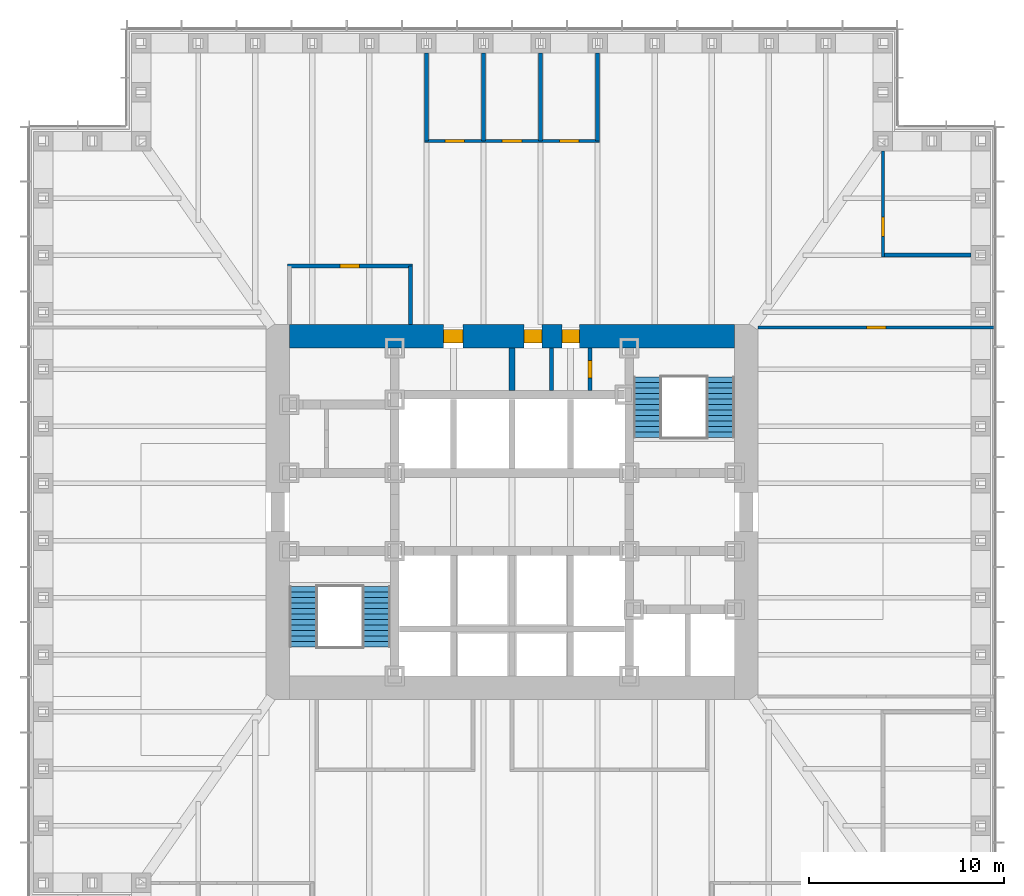
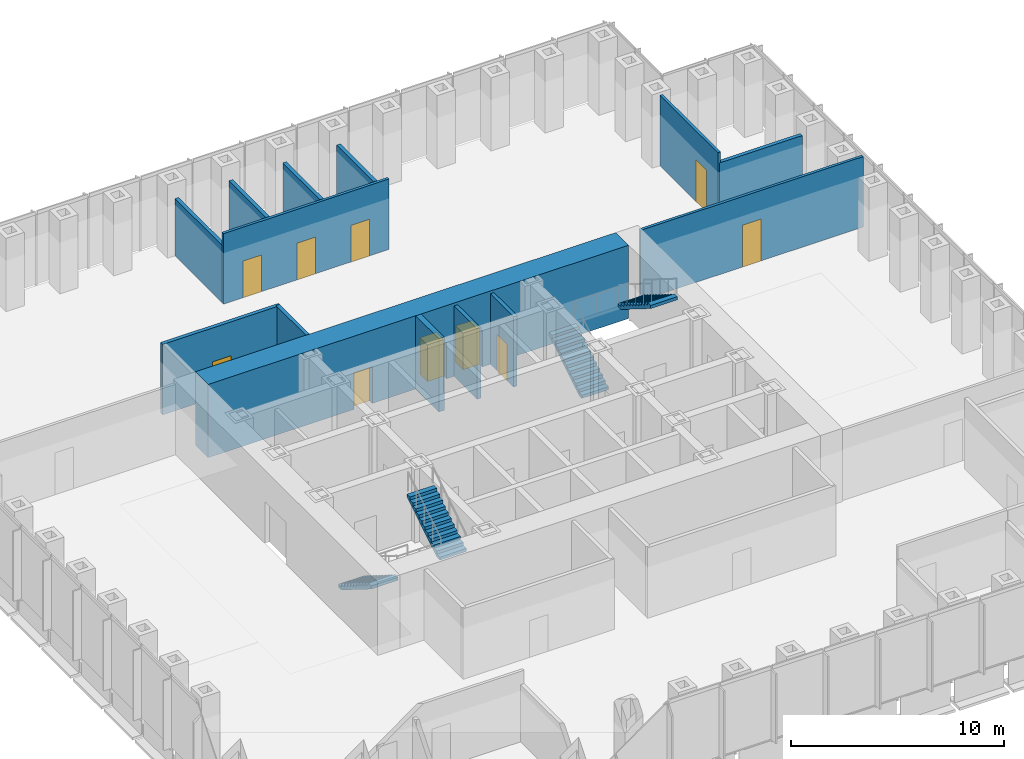
# One storey, part 10 of 16: 14 walls, 10 doors, 4 stair flights, 10 openings, 2 elements without a shape of their own.
"""IFC4 building model written with IfcOpenShell, lengths in metres."""

from ifc_helpers import new_model, si_unit, direction, frame, frame_2d, origin, place, context, subcontext, project, spatial, polyline, rectangle, outline, extrude, material, layer, layer_set, type_object, element, fill, aggregate, save


model = new_model("IFC4")

# Units and contexts
model_context = context("Model", 3, precision=1e-05, world=origin(), true_north=direction((0.0, 1.0)))
body_context = subcontext(model_context, "Body", "Model", "MODEL_VIEW")
ifc_project = project(units=[si_unit("LENGTHUNIT", "METRE"), si_unit("AREAUNIT", "SQUARE_METRE"), si_unit("VOLUMEUNIT", "CUBIC_METRE"), si_unit("PLANEANGLEUNIT", "RADIAN"), si_unit("MASSUNIT", "GRAM", prefix="KILO")], contexts=[model_context])

# Site, building, storey
site_placement = place(None, origin())
site = spatial("IfcSite", under=ifc_project, at=site_placement, CompositionType="ELEMENT")
building_placement = place(site_placement, origin())
building = spatial("IfcBuilding", under=site, at=building_placement, Name="Daluyong Arena Tower", CompositionType="ELEMENT")
storey_placement = place(building_placement, frame((0.0, 0.0, 43.300048828125)))
storey = spatial("IfcBuildingStorey", under=building, at=storey_placement, Name="L08", CompositionType="ELEMENT", Elevation=43.300048828125)

# Wall, openings, doors
ifc_material_1 = material(Name="Concrete fc' 60 MPa", Category="concrete")
ifc_layer_1 = layer(ifc_material_1, 1.199951171875)
ifc_layer_set_1 = layer_set([ifc_layer_1], Name="Concrete fc' 60 MPa")
wall_type_1 = type_object("IfcWallType", Name="Core wall 1200", PredefinedType="SHEAR", material=ifc_layer_set_1)
wall_1_placement = place(storey_placement, frame((44.60009765625, 89.0, 0.0), z_axis=(0.0, 0.0, 1.0), x_axis=(1.0, 0.0, 0.0)))
wall_1 = element("IfcWall", 1, at=wall_1_placement, inside=storey, type_object=wall_type_1, Name="core wall at L08", PredefinedType="SHEAR", context=body_context, shape_type="SweptSolid", body=[
    extrude(rectangle(XDim=22.7998046875, YDim=1.199951171875, at=frame_2d((11.39990234375, 0.0))), origin(), (0.0, 0.0, 1.0), 4.199951171875),
])
opening_1_placement = place(wall_1_placement, frame((7.89990234375, 0.0, 0.0)))
opening_1 = element("IfcOpeningElement", 2, at=opening_1_placement, cuts=wall_1, Name="Opening 08004", PredefinedType="OPENING", context=body_context, shape_type="SweptSolid", body=[
    extrude(rectangle(XDim=1.0, YDim=2.10009765625, at=frame_2d((0.5, 1.050048828125))), frame((0.0, 0.60986328125, 0.0), z_axis=(0.0, -1.0, 0.0), x_axis=(1.0, 0.0, 0.0)), (0.0, 0.0, 1.0), 1.219970703125),
])
opening_2_placement = place(wall_1_placement, frame((12.02490234375, 0.0, 0.0)))
opening_2 = element("IfcOpeningElement", 3, at=opening_2_placement, cuts=wall_1, Name="Opening 08005", PredefinedType="OPENING", context=body_context, shape_type="SweptSolid", body=[
    extrude(rectangle(XDim=0.89990234375, YDim=2.10009765625, at=frame_2d((0.449951171875, 1.050048828125))), frame((0.0, 0.60986328125, 0.0), z_axis=(0.0, -1.0, 0.0), x_axis=(1.0, 0.0, 0.0)), (0.0, 0.0, 1.0), 1.219970703125),
])
opening_3_placement = place(wall_1_placement, frame((13.96240234375, 0.0, 0.0)))
opening_3 = element("IfcOpeningElement", 4, at=opening_3_placement, cuts=wall_1, Name="Opening 08006", PredefinedType="OPENING", context=body_context, shape_type="SweptSolid", body=[
    extrude(rectangle(XDim=0.89990234375, YDim=2.10009765625, at=frame_2d((0.449951171875, 1.050048828125))), frame((0.0, 0.60986328125, 0.0), z_axis=(0.0, -1.0, 0.0), x_axis=(1.0, 0.0, 0.0)), (0.0, 0.0, 1.0), 1.219970703125),
])
ifc_material_2 = material(Name="Timber door", Category="wood")
door_type_1 = type_object("IfcDoorType", Name="Accessible toilet door 1000", OperationType="SINGLE_SWING_LEFT", PredefinedType="DOOR", material=ifc_material_2)
door_1_placement = place(opening_1_placement, origin())
door_1 = element("IfcDoor", 5, at=door_1_placement, inside=storey, type_object=door_type_1, Name="accessible toilet door 08004", OperationType="SINGLE_SWING_LEFT", OverallHeight=2.10009765625, OverallWidth=1.0, PredefinedType="DOOR", context=body_context, shape_type="SweptSolid", body=[
    extrude(rectangle(XDim=1.0, YDim=2.10009765625, at=frame_2d((0.5, 1.050048828125))), frame((0.0, 0.35009765625, 0.0), z_axis=(0.0, -1.0, 0.0), x_axis=(1.0, 0.0, 0.0)), (0.0, 0.0, 1.0), 0.699951171875),
])
fill(opening_1, door_1)
ifc_material_3 = material(Name="Steel door, fire rated", Category="steel")
door_type_2 = type_object("IfcDoorType", Name="Core store door 900", OperationType="SINGLE_SWING_LEFT", PredefinedType="DOOR", material=ifc_material_3)
door_2_placement = place(opening_2_placement, origin())
door_2 = element("IfcDoor", 6, at=door_2_placement, inside=storey, type_object=door_type_2, Name="cleaner's store door 08005", OperationType="SINGLE_SWING_LEFT", OverallHeight=2.10009765625, OverallWidth=0.89990234375, PredefinedType="DOOR", context=body_context, shape_type="SweptSolid", body=[
    extrude(rectangle(XDim=0.89990234375, YDim=2.10009765625, at=frame_2d((0.449951171875, 1.050048828125))), frame((0.0, 0.35009765625, 0.0), z_axis=(0.0, -1.0, 0.0), x_axis=(1.0, 0.0, 0.0)), (0.0, 0.0, 1.0), 0.699951171875),
])
fill(opening_2, door_2)
door_3_placement = place(opening_3_placement, origin())
door_3 = element("IfcDoor", 7, at=door_3_placement, inside=storey, type_object=door_type_2, Name="tenant store door 08006", OperationType="SINGLE_SWING_LEFT", OverallHeight=2.10009765625, OverallWidth=0.89990234375, PredefinedType="DOOR", context=body_context, shape_type="SweptSolid", body=[
    extrude(rectangle(XDim=0.89990234375, YDim=2.10009765625, at=frame_2d((0.449951171875, 1.050048828125))), frame((0.0, 0.35009765625, 0.0), z_axis=(0.0, -1.0, 0.0), x_axis=(1.0, 0.0, 0.0)), (0.0, 0.0, 1.0), 0.699951171875),
])
fill(opening_3, door_3)

# Wall, opening, door
ifc_material_4 = material(Name="Concrete block partition, fire rated", Category="concrete")
ifc_layer_2 = layer(ifc_material_4, 0.199951171875)
ifc_layer_set_2 = layer_set([ifc_layer_2], Name="Concrete block partition, fire rated")
wall_type_2 = type_object("IfcWallType", Name="Fire-rated partition 200", PredefinedType="PARTITIONING", material=ifc_layer_set_2)
wall_2_placement = place(storey_placement, frame((60.0, 86.22509765625, 0.0), z_axis=(0.0, 0.0, 1.0), x_axis=(0.0, 1.0, 0.0)))
wall_2 = element("IfcWall", 8, at=wall_2_placement, inside=storey, type_object=wall_type_2, Name="electrical riser enclosure at L08", PredefinedType="PARTITIONING", context=body_context, shape_type="SweptSolid", body=[
    extrude(rectangle(XDim=2.1748046875, YDim=0.199951171875, at=frame_2d((1.08740234375, 0.0))), origin(), (0.0, 0.0, 1.0), 4.0400390625),
])
opening_4_placement = place(wall_2_placement, frame((0.637451171875, 0.0, 0.0)))
opening_4 = element("IfcOpeningElement", 9, at=opening_4_placement, cuts=wall_2, Name="Opening 08007", PredefinedType="OPENING", context=body_context, shape_type="SweptSolid", body=[
    extrude(rectangle(XDim=0.89990234375, YDim=2.10009765625, at=frame_2d((0.449951171875, 1.050048828125))), frame((0.0, 0.10986328125, 0.0), z_axis=(0.0, -1.0, 0.0), x_axis=(1.0, 0.0, 0.0)), (0.0, 0.0, 1.0), 0.219970703125),
])
ifc_material_5 = material(Name="Steel door, fire rated", Category="steel")
door_type_3 = type_object("IfcDoorType", Name="Riser door 900", OperationType="SINGLE_SWING_LEFT", PredefinedType="DOOR", material=ifc_material_5)
door_4_placement = place(opening_4_placement, origin())
door_4 = element("IfcDoor", 10, at=door_4_placement, inside=storey, type_object=door_type_3, Name="riser door 08007", OperationType="SINGLE_SWING_LEFT", OverallHeight=2.10009765625, OverallWidth=0.89990234375, PredefinedType="DOOR", context=body_context, shape_type="SweptSolid", body=[
    extrude(rectangle(XDim=0.89990234375, YDim=2.10009765625, at=frame_2d((0.449951171875, 1.050048828125))), frame((0.0, 0.099609375, 0.0), z_axis=(0.0, -1.0, 0.0), x_axis=(1.0, 0.0, 0.0)), (0.0, 0.0, 1.0), 0.199462890625),
])
fill(opening_4, door_4)

# Wall
wall_3_placement = place(storey_placement, frame((58.02490234375, 86.22509765625, 0.0), z_axis=(0.0, 0.0, 1.0), x_axis=(0.0, 1.0, 0.0)))
element("IfcWall", 11, at=wall_3_placement, inside=storey, type_object=wall_type_2, Name="core room partition at L08", PredefinedType="PARTITIONING", context=body_context, shape_type="SweptSolid", body=[
    extrude(rectangle(XDim=2.1748046875, YDim=0.199951171875, at=frame_2d((1.08740234375, 0.0))), origin(), (0.0, 0.0, 1.0), 4.0400390625),
])

# Wall, opening, door
ifc_material_6 = material(Name="Glazed aluminium partition", Category="aluminium")
ifc_layer_3 = layer(ifc_material_6, 0.14990234375)
ifc_layer_set_3 = layer_set([ifc_layer_3], Name="Glazed aluminium partition")
wall_type_3 = type_object("IfcWallType", Name="Glazed partition 150", PredefinedType="PARTITIONING", material=ifc_layer_set_3)
wall_4_placement = place(storey_placement, frame((68.60009765625, 89.449951171875, 0.0), z_axis=(0.0, 0.0, 1.0), x_axis=(1.0, 0.0, 0.0)))
wall_4 = element("IfcWall", 12, at=wall_4_placement, inside=storey, type_object=wall_type_3, Name="glazed partition at L08", PredefinedType="PARTITIONING", context=body_context, shape_type="SweptSolid", body=[
    extrude(rectangle(XDim=12.08984375, YDim=0.14990234375, at=frame_2d((6.044921875, 0.0))), origin(), (0.0, 0.0, 1.0), 4.0400390625),
])
opening_5_placement = place(wall_4_placement, frame((5.544921875, 0.0, 0.0)))
opening_5 = element("IfcOpeningElement", 13, at=opening_5_placement, cuts=wall_4, Name="Opening 08035", PredefinedType="OPENING", context=body_context, shape_type="SweptSolid", body=[
    extrude(rectangle(XDim=1.0, YDim=2.39990234375, at=frame_2d((0.5, 1.199951171875))), frame((0.0, 0.0849609375, 0.0), z_axis=(0.0, -1.0, 0.0), x_axis=(1.0, 0.0, 0.0)), (0.0, 0.0, 1.0), 0.169921875),
])
ifc_material_7 = material(Name="Glazed aluminium door", Category="aluminium")
door_type_4 = type_object("IfcDoorType", Name="Meeting room glazed door 1000", OperationType="SINGLE_SWING_RIGHT", PredefinedType="DOOR", material=ifc_material_7)
door_5_placement = place(opening_5_placement, origin())
door_5 = element("IfcDoor", 14, at=door_5_placement, inside=storey, type_object=door_type_4, Name="team area screen door 08035", OperationType="SINGLE_SWING_RIGHT", OverallHeight=2.39990234375, OverallWidth=1.0, PredefinedType="DOOR", context=body_context, shape_type="SweptSolid", body=[
    extrude(rectangle(XDim=1.0, YDim=2.39990234375, at=frame_2d((0.5, 1.199951171875))), frame((0.0, 0.07470703125, 0.0), z_axis=(0.0, -1.0, 0.0), x_axis=(1.0, 0.0, 0.0)), (0.0, 0.0, 1.0), 0.1494140625),
])
fill(opening_5, door_5)

# Wall, openings, doors
wall_5_placement = place(storey_placement, frame((51.515380859375, 99.0, 0.0), z_axis=(0.0, 0.0, 1.0), x_axis=(1.0, 0.0, 0.0)))
wall_5 = element("IfcWall", 15, at=wall_5_placement, inside=storey, type_object=wall_type_3, Name="glazed partition at L08", PredefinedType="PARTITIONING", context=body_context, shape_type="SweptSolid", body=[
    extrude(rectangle(XDim=8.96923828125, YDim=0.14990234375, at=frame_2d((4.484619140625, 0.0))), origin(), (0.0, 0.0, 1.0), 4.0400390625),
])
opening_6_placement = place(wall_5_placement, frame((1.0615234375, 0.0, 0.0)))
opening_6 = element("IfcOpeningElement", 16, at=opening_6_placement, cuts=wall_5, Name="Opening 08027", PredefinedType="OPENING", context=body_context, shape_type="SweptSolid", body=[
    extrude(rectangle(XDim=1.0, YDim=2.10009765625, at=frame_2d((0.5, 1.050048828125))), frame((0.0, 0.0849609375, 0.0), z_axis=(0.0, -1.0, 0.0), x_axis=(1.0, 0.0, 0.0)), (0.0, 0.0, 1.0), 0.169921875),
])
opening_7_placement = place(wall_5_placement, frame((3.984619140625, 0.0, 0.0)))
opening_7 = element("IfcOpeningElement", 17, at=opening_7_placement, cuts=wall_5, Name="Opening 08028", PredefinedType="OPENING", context=body_context, shape_type="SweptSolid", body=[
    extrude(rectangle(XDim=1.0, YDim=2.10009765625, at=frame_2d((0.5, 1.050048828125))), frame((0.0, 0.0849609375, 0.0), z_axis=(0.0, -1.0, 0.0), x_axis=(1.0, 0.0, 0.0)), (0.0, 0.0, 1.0), 0.169921875),
])
opening_8_placement = place(wall_5_placement, frame((6.90771484375, 0.0, 0.0)))
opening_8 = element("IfcOpeningElement", 18, at=opening_8_placement, cuts=wall_5, Name="Opening 08029", PredefinedType="OPENING", context=body_context, shape_type="SweptSolid", body=[
    extrude(rectangle(XDim=1.0, YDim=2.10009765625, at=frame_2d((0.5, 1.050048828125))), frame((0.0, 0.0849609375, 0.0), z_axis=(0.0, -1.0, 0.0), x_axis=(1.0, 0.0, 0.0)), (0.0, 0.0, 1.0), 0.169921875),
])
ifc_material_8 = material(Name="Timber door", Category="wood")
door_type_5 = type_object("IfcDoorType", Name="Room door 1000", OperationType="SINGLE_SWING_LEFT", PredefinedType="DOOR", material=ifc_material_8)
door_6_placement = place(opening_6_placement, origin())
door_6 = element("IfcDoor", 19, at=door_6_placement, inside=storey, type_object=door_type_5, Name="office door 08027", OperationType="SINGLE_SWING_LEFT", OverallHeight=2.10009765625, OverallWidth=1.0, PredefinedType="DOOR", context=body_context, shape_type="SweptSolid", body=[
    extrude(rectangle(XDim=1.0, YDim=2.10009765625, at=frame_2d((0.5, 1.050048828125))), frame((0.0, 0.07470703125, 0.0), z_axis=(0.0, -1.0, 0.0), x_axis=(1.0, 0.0, 0.0)), (0.0, 0.0, 1.0), 0.1494140625),
])
fill(opening_6, door_6)
door_7_placement = place(opening_7_placement, origin())
door_7 = element("IfcDoor", 20, at=door_7_placement, inside=storey, type_object=door_type_5, Name="office door 08028", OperationType="SINGLE_SWING_LEFT", OverallHeight=2.10009765625, OverallWidth=1.0, PredefinedType="DOOR", context=body_context, shape_type="SweptSolid", body=[
    extrude(rectangle(XDim=1.0, YDim=2.10009765625, at=frame_2d((0.5, 1.050048828125))), frame((0.0, 0.07470703125, 0.0), z_axis=(0.0, -1.0, 0.0), x_axis=(1.0, 0.0, 0.0)), (0.0, 0.0, 1.0), 0.1494140625),
])
fill(opening_7, door_7)
door_8_placement = place(opening_8_placement, origin())
door_8 = element("IfcDoor", 21, at=door_8_placement, inside=storey, type_object=door_type_5, Name="office door 08029", OperationType="SINGLE_SWING_LEFT", OverallHeight=2.10009765625, OverallWidth=1.0, PredefinedType="DOOR", context=body_context, shape_type="SweptSolid", body=[
    extrude(rectangle(XDim=1.0, YDim=2.10009765625, at=frame_2d((0.5, 1.050048828125))), frame((0.0, 0.07470703125, 0.0), z_axis=(0.0, -1.0, 0.0), x_axis=(1.0, 0.0, 0.0)), (0.0, 0.0, 1.0), 0.1494140625),
])
fill(opening_8, door_8)

# Wall, opening, door
wall_6_placement = place(storey_placement, frame((75.0, 93.053955078125, 0.0), z_axis=(0.0, 0.0, 1.0), x_axis=(0.0, 1.0, 0.0)))
wall_6 = element("IfcWall", 22, at=wall_6_placement, inside=storey, type_object=wall_type_3, Name="glazed partition at L08", PredefinedType="PARTITIONING", context=body_context, shape_type="SweptSolid", body=[
    extrude(rectangle(XDim=5.446044921875, YDim=0.14990234375, at=frame_2d((2.72314453125, 0.0))), origin(), (0.0, 0.0, 1.0), 4.0400390625),
])
opening_9_placement = place(wall_6_placement, frame((1.0615234375, 0.0, 0.0)))
opening_9 = element("IfcOpeningElement", 23, at=opening_9_placement, cuts=wall_6, Name="Opening 08026", PredefinedType="OPENING", context=body_context, shape_type="SweptSolid", body=[
    extrude(rectangle(XDim=1.0, YDim=2.39990234375, at=frame_2d((0.5, 1.199951171875))), frame((0.0, 0.0849609375, 0.0), z_axis=(0.0, -1.0, 0.0), x_axis=(1.0, 0.0, 0.0)), (0.0, 0.0, 1.0), 0.169921875),
])
door_9_placement = place(opening_9_placement, origin())
door_9 = element("IfcDoor", 24, at=door_9_placement, inside=storey, type_object=door_type_4, Name="meeting room door 08026", OperationType="SINGLE_SWING_RIGHT", OverallHeight=2.39990234375, OverallWidth=1.0, PredefinedType="DOOR", context=body_context, shape_type="SweptSolid", body=[
    extrude(rectangle(XDim=1.0, YDim=2.39990234375, at=frame_2d((0.5, 1.199951171875))), frame((0.0, 0.07470703125, 0.0), z_axis=(0.0, -1.0, 0.0), x_axis=(1.0, 0.0, 0.0)), (0.0, 0.0, 1.0), 0.1494140625),
])
fill(opening_9, door_9)

# Walls
ifc_material_9 = material(Name="Concrete fc' 45 MPa", Category="concrete")
ifc_layer_4 = layer(ifc_material_9, 0.300048828125)
ifc_layer_set_4 = layer_set([ifc_layer_4], Name="Concrete fc' 45 MPa")
wall_type_4 = type_object("IfcWallType", Name="Lift shaft wall 300", PredefinedType="SHEAR", material=ifc_layer_set_4)
wall_7_placement = place(storey_placement, frame((56.0, 86.22509765625, 0.0), z_axis=(0.0, 0.0, 1.0), x_axis=(0.0, 1.0, 0.0)))
element("IfcWall", 25, at=wall_7_placement, inside=storey, type_object=wall_type_4, Name="lift shaft wall at L08", PredefinedType="SHEAR", context=body_context, shape_type="SweptSolid", body=[
    extrude(rectangle(XDim=2.1748046875, YDim=0.300048828125, at=frame_2d((1.08740234375, 0.0))), origin(), (0.0, 0.0, 1.0), 4.199951171875),
])
ifc_material_10 = material(Name="Concrete block partition", Category="concrete")
ifc_layer_5 = layer(ifc_material_10, 0.199951171875)
ifc_layer_set_5 = layer_set([ifc_layer_5], Name="Concrete block partition")
wall_type_5 = type_object("IfcWallType", Name="Partition 200", PredefinedType="PARTITIONING", material=ifc_layer_set_5)
wall_8_placement = place(storey_placement, frame((75.0, 93.15380859375, 0.0), z_axis=(0.0, 0.0, 1.0), x_axis=(1.0, 0.0, 0.0)))
element("IfcWall", 26, at=wall_8_placement, inside=storey, type_object=wall_type_5, Name="partition at L08", PredefinedType="PARTITIONING", context=body_context, shape_type="SweptSolid", body=[
    extrude(rectangle(XDim=4.5, YDim=0.199951171875, at=frame_2d((2.25, 0.0))), origin(), (0.0, 0.0, 1.0), 3.427734375),
])
for number, where, z_axis, x_axis, name in (
    (27, (51.615478515625, 99.0, 0.0), (0.0, 0.0, 1.0), (0.0, 1.0, 0.0), "partition at L08"),
    (28, (54.53857421875, 99.0, 0.0), (0.0, 0.0, 1.0), (0.0, 1.0, 0.0), "partition at L08"),
    (29, (57.46142578125, 99.0, 0.0), (0.0, 0.0, 1.0), (0.0, 1.0, 0.0), "partition at L08"),
    (30, (60.384521484375, 99.0, 0.0), (0.0, 0.0, 1.0), (0.0, 1.0, 0.0), "partition at L08"),
):
    element("IfcWall", number, at=place(storey_placement, frame(where, z_axis=z_axis, x_axis=x_axis)), inside=storey, type_object=wall_type_5, Name=name, PredefinedType="PARTITIONING", context=body_context, shape_type="SweptSolid", body=[
        extrude(rectangle(XDim=4.5, YDim=0.199951171875, at=frame_2d((2.25, 0.0))), origin(), (0.0, 0.0, 1.0), 3.27783203125),
    ])
wall_9_placement = place(storey_placement, frame((50.800048828125, 89.60009765625, 0.0), z_axis=(0.0, 0.0, 1.0), x_axis=(0.0, 1.0, 0.0)))
element("IfcWall", 31, at=wall_9_placement, inside=storey, type_object=wall_type_5, Name="partition at L08", PredefinedType="PARTITIONING", context=body_context, shape_type="SweptSolid", body=[
    extrude(rectangle(XDim=3.0, YDim=0.199951171875, at=frame_2d((1.5, 0.0))), origin(), (0.0, 0.0, 1.0), 4.0400390625),
])

# Wall, opening, door
wall_10_placement = place(storey_placement, frame((44.5, 92.60009765625, 0.0), z_axis=(0.0, 0.0, 1.0), x_axis=(1.0, 0.0, 0.0)))
wall_10 = element("IfcWall", 32, at=wall_10_placement, inside=storey, type_object=wall_type_5, Name="partition at L08", PredefinedType="PARTITIONING", context=body_context, shape_type="SweptSolid", body=[
    extrude(rectangle(XDim=6.39990234375, YDim=0.199951171875, at=frame_2d((3.199951171875, 0.0))), origin(), (0.0, 0.0, 1.0), 4.0400390625),
])
opening_10_placement = place(wall_10_placement, frame((2.699951171875, 0.0, 0.0)))
opening_10 = element("IfcOpeningElement", 33, at=opening_10_placement, cuts=wall_10, Name="Opening 08032", PredefinedType="OPENING", context=body_context, shape_type="SweptSolid", body=[
    extrude(rectangle(XDim=1.0, YDim=2.10009765625, at=frame_2d((0.5, 1.050048828125))), frame((0.0, 0.10986328125, 0.0), z_axis=(0.0, -1.0, 0.0), x_axis=(1.0, 0.0, 0.0)), (0.0, 0.0, 1.0), 0.219970703125),
])
door_10_placement = place(opening_10_placement, origin())
door_10 = element("IfcDoor", 34, at=door_10_placement, inside=storey, type_object=door_type_5, Name="comms room door 08032", OperationType="SINGLE_SWING_LEFT", OverallHeight=2.10009765625, OverallWidth=1.0, PredefinedType="DOOR", context=body_context, shape_type="SweptSolid", body=[
    extrude(rectangle(XDim=1.0, YDim=2.10009765625, at=frame_2d((0.5, 1.050048828125))), frame((0.0, 0.099609375, 0.0), z_axis=(0.0, -1.0, 0.0), x_axis=(1.0, 0.0, 0.0)), (0.0, 0.0, 1.0), 0.199462890625),
])
fill(opening_10, door_10)

# Stair, stair flights
ifc_material_11 = material(Name="Concrete fc' 35 MPa", Category="concrete")
stair_type = type_object("IfcStairType", Name="Core exit stair", PredefinedType="HALF_TURN_STAIR", material=ifc_material_11)
stair_1_placement = place(storey_placement, origin())
stair_1 = element("IfcStair", 35, at=stair_1_placement, inside=storey, type_object=stair_type, Name="exit stair A L08", PredefinedType="HALF_TURN_STAIR")
ifc_material_12 = material(Name="Concrete fc' 35 MPa", Category="concrete")
stair_flight_type = type_object("IfcStairFlightType", Name="Core stair flight", PredefinedType="STRAIGHT", material=ifc_material_12)
stair_flight_1_placement = place(storey_placement, frame((45.324951171875, 76.175048828125, 0.0), z_axis=(0.0, 0.0, 1.0), x_axis=(0.0, -1.0, 0.0)))
stair_flight_1 = element("IfcStairFlight", 36, at=stair_flight_1_placement, type_object=stair_flight_type, Name="STA flight 1", NumberOfRisers=12, NumberOfTreads=11, PredefinedType="STRAIGHT", RiserHeight=0.175, TreadLength=0.28, context=body_context, shape_type="SweptSolid", body=[
    extrude(outline(polyline([(0.0, 0.0), (0.0, 0.175048828125), (0.280029296875, 0.175048828125), (0.280029296875, 0.35009765625), (0.56005859375, 0.35009765625), (0.56005859375, 0.52490234375), (0.840087890625, 0.52490234375), (0.840087890625, 0.699951171875), (1.1201171875, 0.699951171875), (1.1201171875, 0.875), (1.39990234375, 0.875), (1.39990234375, 1.050048828125), (1.679931640625, 1.050048828125), (1.679931640625, 1.22509765625), (1.9599609375, 1.22509765625), (1.9599609375, 1.39990234375), (2.239990234375, 1.39990234375), (2.239990234375, 1.574951171875), (2.52001953125, 1.574951171875), (2.52001953125, 1.75), (2.800048828125, 1.75), (2.800048828125, 1.925048828125), (3.080078125, 1.925048828125), (3.080078125, 2.10009765625), (3.080078125, 1.748291015625), (0.28271484375, 0.0), (0.0, 0.0)])), frame((0.0, 0.72509765625, 0.0), z_axis=(0.0, -1.0, 0.0), x_axis=(1.0, 0.0, 0.0)), (0.0, 0.0, 1.0), 1.449951171875),
])
stair_flight_2_placement = place(storey_placement, frame((49.050048828125, 73.094970703125, 2.099853515625), z_axis=(0.0, 0.0, 1.0), x_axis=(0.0, 1.0, 0.0)))
stair_flight_2 = element("IfcStairFlight", 37, at=stair_flight_2_placement, type_object=stair_flight_type, Name="STA flight 2", NumberOfRisers=12, NumberOfTreads=11, PredefinedType="STRAIGHT", RiserHeight=0.175, TreadLength=0.28, context=body_context, shape_type="SweptSolid", body=[
    extrude(outline(polyline([(0.0, 0.0), (0.0, 0.175048828125), (0.280029296875, 0.175048828125), (0.280029296875, 0.35009765625), (0.56005859375, 0.35009765625), (0.56005859375, 0.52490234375), (0.840087890625, 0.52490234375), (0.840087890625, 0.699951171875), (1.1201171875, 0.699951171875), (1.1201171875, 0.875), (1.39990234375, 0.875), (1.39990234375, 1.050048828125), (1.679931640625, 1.050048828125), (1.679931640625, 1.22509765625), (1.9599609375, 1.22509765625), (1.9599609375, 1.39990234375), (2.239990234375, 1.39990234375), (2.239990234375, 1.574951171875), (2.52001953125, 1.574951171875), (2.52001953125, 1.75), (2.800048828125, 1.75), (2.800048828125, 1.925048828125), (3.080078125, 1.925048828125), (3.080078125, 2.10009765625), (3.080078125, 1.748291015625), (0.28271484375, 0.0), (0.0, 0.0)])), frame((0.0, 0.72509765625, 0.0), z_axis=(0.0, -1.0, 0.0), x_axis=(1.0, 0.0, 0.0)), (0.0, 0.0, 1.0), 1.449951171875),
])
aggregate(stair_1, [stair_flight_1, stair_flight_2])

stair_2_placement = place(storey_placement, origin())
stair_2 = element("IfcStair", 38, at=stair_2_placement, inside=storey, type_object=stair_type, Name="exit stair B L08", PredefinedType="HALF_TURN_STAIR")
stair_flight_3_placement = place(storey_placement, frame((62.949951171875, 83.824951171875, 0.0), z_axis=(0.0, 0.0, 1.0), x_axis=(0.0, 1.0, 0.0)))
stair_flight_3 = element("IfcStairFlight", 39, at=stair_flight_3_placement, type_object=stair_flight_type, Name="STB flight 1", NumberOfRisers=12, NumberOfTreads=11, PredefinedType="STRAIGHT", RiserHeight=0.175, TreadLength=0.28, context=body_context, shape_type="SweptSolid", body=[
    extrude(outline(polyline([(0.0, 0.0), (0.0, 0.175048828125), (0.280029296875, 0.175048828125), (0.280029296875, 0.35009765625), (0.56005859375, 0.35009765625), (0.56005859375, 0.52490234375), (0.840087890625, 0.52490234375), (0.840087890625, 0.699951171875), (1.1201171875, 0.699951171875), (1.1201171875, 0.875), (1.39990234375, 0.875), (1.39990234375, 1.050048828125), (1.679931640625, 1.050048828125), (1.679931640625, 1.22509765625), (1.9599609375, 1.22509765625), (1.9599609375, 1.39990234375), (2.239990234375, 1.39990234375), (2.239990234375, 1.574951171875), (2.52001953125, 1.574951171875), (2.52001953125, 1.75), (2.800048828125, 1.75), (2.800048828125, 1.925048828125), (3.080078125, 1.925048828125), (3.080078125, 2.10009765625), (3.080078125, 1.748291015625), (0.28271484375, 0.0), (0.0, 0.0)])), frame((0.0, 0.72509765625, 0.0), z_axis=(0.0, -1.0, 0.0), x_axis=(1.0, 0.0, 0.0)), (0.0, 0.0, 1.0), 1.449951171875),
])
stair_flight_4_placement = place(storey_placement, frame((66.675048828125, 86.905029296875, 2.099853515625), z_axis=(0.0, 0.0, 1.0), x_axis=(0.0, -1.0, 0.0)))
stair_flight_4 = element("IfcStairFlight", 40, at=stair_flight_4_placement, type_object=stair_flight_type, Name="STB flight 2", NumberOfRisers=12, NumberOfTreads=11, PredefinedType="STRAIGHT", RiserHeight=0.175, TreadLength=0.28, context=body_context, shape_type="SweptSolid", body=[
    extrude(outline(polyline([(0.0, 0.0), (0.0, 0.175048828125), (0.280029296875, 0.175048828125), (0.280029296875, 0.35009765625), (0.56005859375, 0.35009765625), (0.56005859375, 0.52490234375), (0.840087890625, 0.52490234375), (0.840087890625, 0.699951171875), (1.1201171875, 0.699951171875), (1.1201171875, 0.875), (1.39990234375, 0.875), (1.39990234375, 1.050048828125), (1.679931640625, 1.050048828125), (1.679931640625, 1.22509765625), (1.9599609375, 1.22509765625), (1.9599609375, 1.39990234375), (2.239990234375, 1.39990234375), (2.239990234375, 1.574951171875), (2.52001953125, 1.574951171875), (2.52001953125, 1.75), (2.800048828125, 1.75), (2.800048828125, 1.925048828125), (3.080078125, 1.925048828125), (3.080078125, 2.10009765625), (3.080078125, 1.748291015625), (0.28271484375, 0.0), (0.0, 0.0)])), frame((0.0, 0.72509765625, 0.0), z_axis=(0.0, -1.0, 0.0), x_axis=(1.0, 0.0, 0.0)), (0.0, 0.0, 1.0), 1.449951171875),
])
aggregate(stair_2, [stair_flight_3, stair_flight_4])

save(model, "model.ifc")
